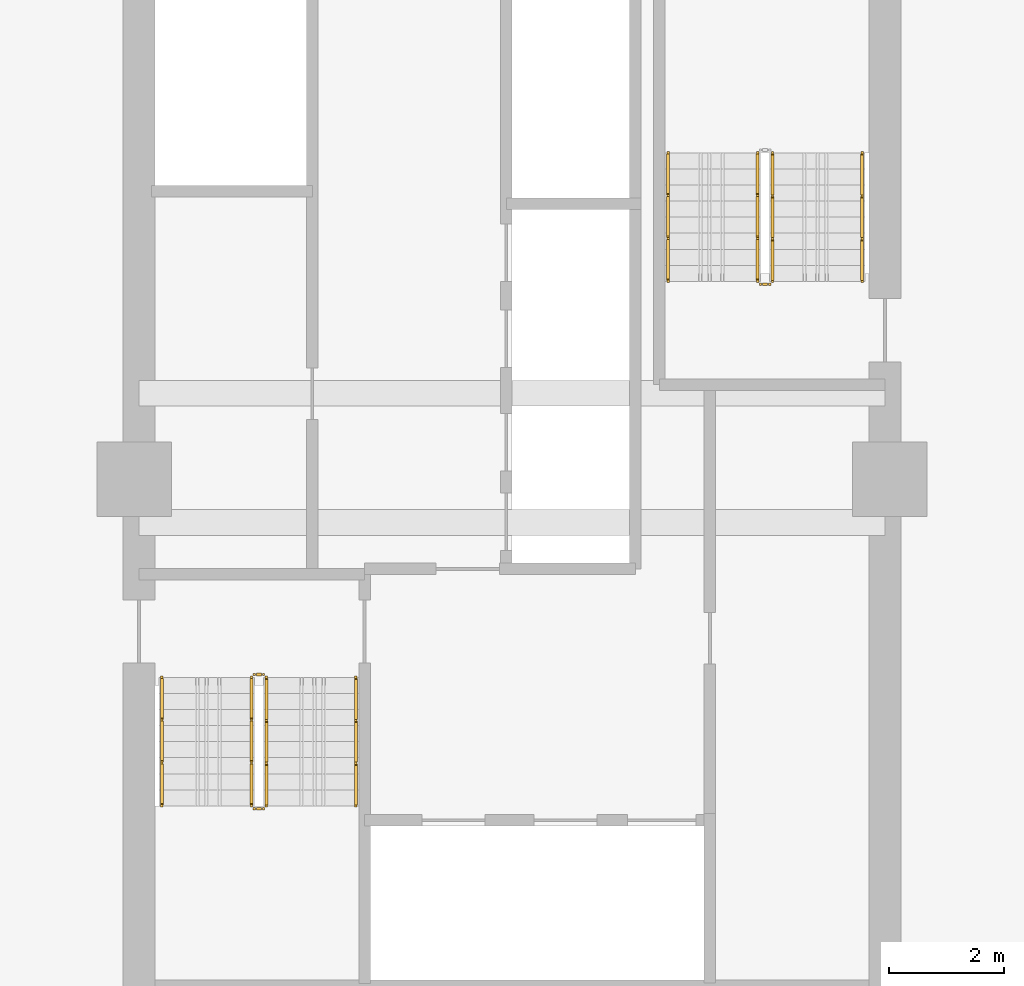
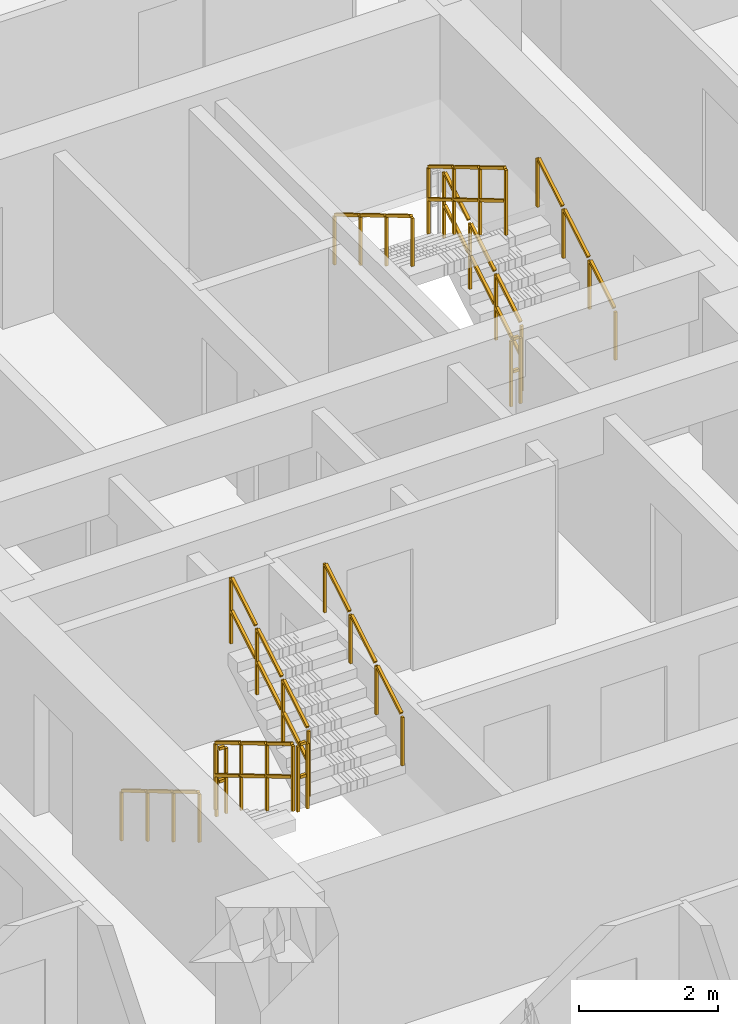
# One storey, part 9 of 11: 11 railings.
"""IFC4 building model written with IfcOpenShell, lengths in metres."""

from ifc_helpers import new_model, si_unit, direction, frame, origin, origin_2d, place, context, subcontext, project, spatial, rectangle, extrude, material, type_object, element, save


model = new_model("IFC4")

# Units and contexts
model_context = context("Model", 3, precision=1e-05, world=origin(), true_north=direction((0.0, 1.0)))
body_context = subcontext(model_context, "Body", "Model", "MODEL_VIEW")
ifc_project = project(units=[si_unit("LENGTHUNIT", "METRE"), si_unit("AREAUNIT", "SQUARE_METRE"), si_unit("VOLUMEUNIT", "CUBIC_METRE"), si_unit("PLANEANGLEUNIT", "RADIAN"), si_unit("MASSUNIT", "GRAM", prefix="KILO")], contexts=[model_context])

# Site, building, storey
site_placement = place(None, origin())
site = spatial("IfcSite", under=ifc_project, at=site_placement, CompositionType="ELEMENT")
building_placement = place(site_placement, origin())
building = spatial("IfcBuilding", under=site, at=building_placement, Name="Saelheon Loggia Tower", CompositionType="ELEMENT")
storey_placement = place(building_placement, frame((0.0, 0.0, 138.75)))
storey = spatial("IfcBuildingStorey", under=building, at=storey_placement, Name="L44", CompositionType="ELEMENT", Elevation=138.75)

# Railings
ifc_material_1 = material(Name="Galvanised Steel S275 Stairwell Guardrail", Category="steel")
railing_type_1 = type_object("IfcRailingType", Name="Guard_StairWell_RL_STG", PredefinedType="GUARDRAIL", material=ifc_material_1)
railing_1_placement = place(storey_placement, frame((33.4599609375, 23.550048828125, 0.166748046875)))
element("IfcRailing", 1, at=railing_1_placement, inside=storey, type_object=railing_type_1, Name="L44 ST1 stair guard 1", PredefinedType="GUARDRAIL", context=body_context, shape_type="SweptSolid", body=[
    extrude(rectangle(XDim=0.048095703125, YDim=0.048095703125, at=origin_2d()), frame((0.0, -0.028564453125, 1.19287109375), z_axis=(0.0, -0.859305625298, 0.511462454469), x_axis=(1.0, 0.0, 0.0)), (0.0, 0.0, 1.0), 0.802490234375),
    extrude(rectangle(XDim=0.048095703125, YDim=0.048095703125, at=origin_2d()), frame((0.0, -0.028564453125, 0.616943359375), z_axis=(0.0, -0.859305625298, 0.511462454469), x_axis=(1.0, 0.0, 0.0)), (0.0, 0.0, 1.0), 0.802490234375),
    extrude(rectangle(XDim=0.048095703125, YDim=0.048095703125, at=origin_2d()), frame((0.0, -0.775146484375, 1.63720703125), z_axis=(0.0, -0.859305625298, 0.511462454469), x_axis=(1.0, 0.0, 0.0)), (0.0, 0.0, 1.0), 0.802490234375),
    extrude(rectangle(XDim=0.048095703125, YDim=0.048095703125, at=origin_2d()), frame((0.0, -0.775146484375, 1.061279296875), z_axis=(0.0, -0.859305625298, 0.511462454469), x_axis=(1.0, 0.0, 0.0)), (0.0, 0.0, 1.0), 0.802490234375),
    extrude(rectangle(XDim=0.048095703125, YDim=0.048095703125, at=origin_2d()), frame((0.0, -1.52197265625, 2.081787109375), z_axis=(0.0, -0.859305625298, 0.511462454469), x_axis=(1.0, 0.0, 0.0)), (0.0, 0.0, 1.0), 0.802490234375),
    extrude(rectangle(XDim=0.048095703125, YDim=0.048095703125, at=origin_2d()), frame((0.0, -1.52197265625, 1.505859375), z_axis=(0.0, -0.859305625298, 0.511462454469), x_axis=(1.0, 0.0, 0.0)), (0.0, 0.0, 1.0), 0.802490234375),
    extrude(rectangle(XDim=0.0419921875, YDim=0.0419921875, at=origin_2d()), origin(), (0.0, 0.0, 1.0), 1.14794921875),
    extrude(rectangle(XDim=0.0419921875, YDim=0.0419921875, at=origin_2d()), frame((0.0, -0.74658203125, 0.4443359375)), (0.0, 0.0, 1.0), 1.14794921875),
    extrude(rectangle(XDim=0.0419921875, YDim=0.0419921875, at=origin_2d()), frame((0.0, -1.493408203125, 0.888916015625)), (0.0, 0.0, 1.0), 1.14794921875),
    extrude(rectangle(XDim=0.0419921875, YDim=0.0419921875, at=origin_2d()), frame((0.0, -2.239990234375, 1.333251953125)), (0.0, 0.0, 1.0), 1.14794921875),
])
railing_2_placement = place(storey_placement, frame((33.510009765625, 21.260009765625, 1.5)))
element("IfcRailing", 2, at=railing_2_placement, inside=storey, type_object=railing_type_1, Name="L44 ST1 stair guard 2", PredefinedType="GUARDRAIL", context=body_context, shape_type="SweptSolid", body=[
    extrude(rectangle(XDim=0.048095703125, YDim=0.048095703125, at=origin_2d()), frame((0.033203125, 0.0, 1.17578125), z_axis=(1.0, 0.0, 0.0), x_axis=(0.0, 1.0, 0.0)), (0.0, 0.0, 1.0), 0.093505859375),
    extrude(rectangle(XDim=0.048095703125, YDim=0.048095703125, at=origin_2d()), frame((0.033203125, 0.0, 0.60009765625), z_axis=(1.0, 0.0, 0.0), x_axis=(0.0, 1.0, 0.0)), (0.0, 0.0, 1.0), 0.093505859375),
    extrude(rectangle(XDim=0.0419921875, YDim=0.0419921875, at=origin_2d()), origin(), (0.0, 0.0, 1.0), 1.14794921875),
    extrude(rectangle(XDim=0.0419921875, YDim=0.0419921875, at=origin_2d()), frame((0.159912109375, 0.0, 0.0)), (0.0, 0.0, 1.0), 1.14794921875),
])
railing_3_placement = place(storey_placement, frame((33.719970703125, 21.31005859375, 1.666748046875)))
element("IfcRailing", 3, at=railing_3_placement, inside=storey, type_object=railing_type_1, Name="L44 ST1 stair guard 3", PredefinedType="GUARDRAIL", context=body_context, shape_type="SweptSolid", body=[
    extrude(rectangle(XDim=0.048095703125, YDim=0.048095703125, at=origin_2d()), frame((0.0, 0.028564453125, 1.19287109375), z_axis=(0.0, 0.859305625298, 0.511462454469), x_axis=(-1.0, 0.0, 0.0)), (0.0, 0.0, 1.0), 0.802490234375),
    extrude(rectangle(XDim=0.048095703125, YDim=0.048095703125, at=origin_2d()), frame((0.0, 0.028564453125, 0.616943359375), z_axis=(0.0, 0.859305625298, 0.511462454469), x_axis=(-1.0, 0.0, 0.0)), (0.0, 0.0, 1.0), 0.802490234375),
    extrude(rectangle(XDim=0.048095703125, YDim=0.048095703125, at=origin_2d()), frame((0.0, 0.775146484375, 1.63720703125), z_axis=(0.0, 0.859305625298, 0.511462454469), x_axis=(-1.0, 0.0, 0.0)), (0.0, 0.0, 1.0), 0.802490234375),
    extrude(rectangle(XDim=0.048095703125, YDim=0.048095703125, at=origin_2d()), frame((0.0, 0.775146484375, 1.061279296875), z_axis=(0.0, 0.859305625298, 0.511462454469), x_axis=(-1.0, 0.0, 0.0)), (0.0, 0.0, 1.0), 0.802490234375),
    extrude(rectangle(XDim=0.048095703125, YDim=0.048095703125, at=origin_2d()), frame((0.0, 1.52197265625, 2.081787109375), z_axis=(0.0, 0.859305625298, 0.511462454469), x_axis=(-1.0, 0.0, 0.0)), (0.0, 0.0, 1.0), 0.802490234375),
    extrude(rectangle(XDim=0.048095703125, YDim=0.048095703125, at=origin_2d()), frame((0.0, 1.52197265625, 1.505859375), z_axis=(0.0, 0.859305625298, 0.511462454469), x_axis=(-1.0, 0.0, 0.0)), (0.0, 0.0, 1.0), 0.802490234375),
    extrude(rectangle(XDim=0.0419921875, YDim=0.0419921875, at=origin_2d()), origin(), (0.0, 0.0, 1.0), 1.14794921875),
    extrude(rectangle(XDim=0.0419921875, YDim=0.0419921875, at=origin_2d()), frame((0.0, 0.74658203125, 0.4443359375)), (0.0, 0.0, 1.0), 1.14794921875),
    extrude(rectangle(XDim=0.0419921875, YDim=0.0419921875, at=origin_2d()), frame((0.0, 1.493408203125, 0.888916015625)), (0.0, 0.0, 1.0), 1.14794921875),
    extrude(rectangle(XDim=0.0419921875, YDim=0.0419921875, at=origin_2d()), frame((0.0, 2.239990234375, 1.333251953125)), (0.0, 0.0, 1.0), 1.14794921875),
])
railing_4_placement = place(storey_placement, frame((33.510009765625, 23.60009765625, 0.0)))
element("IfcRailing", 4, at=railing_4_placement, inside=storey, type_object=railing_type_1, Name="L44 ST1 stair guard 4", PredefinedType="GUARDRAIL", context=body_context, shape_type="SweptSolid", body=[
    extrude(rectangle(XDim=0.048095703125, YDim=0.048095703125, at=origin_2d()), frame((0.033203125, 0.0, 1.17578125), z_axis=(1.0, 0.0, 0.0), x_axis=(0.0, 1.0, 0.0)), (0.0, 0.0, 1.0), 0.093505859375),
    extrude(rectangle(XDim=0.048095703125, YDim=0.048095703125, at=origin_2d()), frame((0.033203125, 0.0, 0.60009765625), z_axis=(1.0, 0.0, 0.0), x_axis=(0.0, 1.0, 0.0)), (0.0, 0.0, 1.0), 0.093505859375),
    extrude(rectangle(XDim=0.0419921875, YDim=0.0419921875, at=origin_2d()), origin(), (0.0, 0.0, 1.0), 1.14794921875),
    extrude(rectangle(XDim=0.0419921875, YDim=0.0419921875, at=origin_2d()), frame((0.159912109375, 0.0, 0.0)), (0.0, 0.0, 1.0), 1.14794921875),
])
railing_5_placement = place(storey_placement, frame((42.5400390625, 30.449951171875, 0.166748046875)))
element("IfcRailing", 5, at=railing_5_placement, inside=storey, type_object=railing_type_1, Name="L44 ST2 stair guard 1", PredefinedType="GUARDRAIL", context=body_context, shape_type="SweptSolid", body=[
    extrude(rectangle(XDim=0.048095703125, YDim=0.048095703125, at=origin_2d()), frame((0.0, 0.028564453125, 1.19287109375), z_axis=(0.0, 0.859305625298, 0.511462454469), x_axis=(-1.0, 0.0, 0.0)), (0.0, 0.0, 1.0), 0.802490234375),
    extrude(rectangle(XDim=0.048095703125, YDim=0.048095703125, at=origin_2d()), frame((0.0, 0.028564453125, 0.616943359375), z_axis=(0.0, 0.859305625298, 0.511462454469), x_axis=(-1.0, 0.0, 0.0)), (0.0, 0.0, 1.0), 0.802490234375),
    extrude(rectangle(XDim=0.048095703125, YDim=0.048095703125, at=origin_2d()), frame((0.0, 0.775146484375, 1.63720703125), z_axis=(0.0, 0.859305625298, 0.511462454469), x_axis=(-1.0, 0.0, 0.0)), (0.0, 0.0, 1.0), 0.802490234375),
    extrude(rectangle(XDim=0.048095703125, YDim=0.048095703125, at=origin_2d()), frame((0.0, 0.775146484375, 1.061279296875), z_axis=(0.0, 0.859305625298, 0.511462454469), x_axis=(-1.0, 0.0, 0.0)), (0.0, 0.0, 1.0), 0.802490234375),
    extrude(rectangle(XDim=0.048095703125, YDim=0.048095703125, at=origin_2d()), frame((0.0, 1.52197265625, 2.081787109375), z_axis=(0.0, 0.859305625298, 0.511462454469), x_axis=(-1.0, 0.0, 0.0)), (0.0, 0.0, 1.0), 0.802490234375),
    extrude(rectangle(XDim=0.048095703125, YDim=0.048095703125, at=origin_2d()), frame((0.0, 1.52197265625, 1.505859375), z_axis=(0.0, 0.859305625298, 0.511462454469), x_axis=(-1.0, 0.0, 0.0)), (0.0, 0.0, 1.0), 0.802490234375),
    extrude(rectangle(XDim=0.0419921875, YDim=0.0419921875, at=origin_2d()), origin(), (0.0, 0.0, 1.0), 1.14794921875),
    extrude(rectangle(XDim=0.0419921875, YDim=0.0419921875, at=origin_2d()), frame((0.0, 0.74658203125, 0.4443359375)), (0.0, 0.0, 1.0), 1.14794921875),
    extrude(rectangle(XDim=0.0419921875, YDim=0.0419921875, at=origin_2d()), frame((0.0, 1.493408203125, 0.888916015625)), (0.0, 0.0, 1.0), 1.14794921875),
    extrude(rectangle(XDim=0.0419921875, YDim=0.0419921875, at=origin_2d()), frame((0.0, 2.239990234375, 1.333251953125)), (0.0, 0.0, 1.0), 1.14794921875),
])
railing_6_placement = place(storey_placement, frame((42.280029296875, 32.68994140625, 1.666748046875)))
element("IfcRailing", 6, at=railing_6_placement, inside=storey, type_object=railing_type_1, Name="L44 ST2 stair guard 3", PredefinedType="GUARDRAIL", context=body_context, shape_type="SweptSolid", body=[
    extrude(rectangle(XDim=0.048095703125, YDim=0.048095703125, at=origin_2d()), frame((0.0, -0.028564453125, 1.19287109375), z_axis=(0.0, -0.859305625298, 0.511462454469), x_axis=(1.0, 0.0, 0.0)), (0.0, 0.0, 1.0), 0.802490234375),
    extrude(rectangle(XDim=0.048095703125, YDim=0.048095703125, at=origin_2d()), frame((0.0, -0.028564453125, 0.616943359375), z_axis=(0.0, -0.859305625298, 0.511462454469), x_axis=(1.0, 0.0, 0.0)), (0.0, 0.0, 1.0), 0.802490234375),
    extrude(rectangle(XDim=0.048095703125, YDim=0.048095703125, at=origin_2d()), frame((0.0, -0.775146484375, 1.63720703125), z_axis=(0.0, -0.859305625298, 0.511462454469), x_axis=(1.0, 0.0, 0.0)), (0.0, 0.0, 1.0), 0.802490234375),
    extrude(rectangle(XDim=0.048095703125, YDim=0.048095703125, at=origin_2d()), frame((0.0, -0.775146484375, 1.061279296875), z_axis=(0.0, -0.859305625298, 0.511462454469), x_axis=(1.0, 0.0, 0.0)), (0.0, 0.0, 1.0), 0.802490234375),
    extrude(rectangle(XDim=0.048095703125, YDim=0.048095703125, at=origin_2d()), frame((0.0, -1.52197265625, 2.081787109375), z_axis=(0.0, -0.859305625298, 0.511462454469), x_axis=(1.0, 0.0, 0.0)), (0.0, 0.0, 1.0), 0.802490234375),
    extrude(rectangle(XDim=0.048095703125, YDim=0.048095703125, at=origin_2d()), frame((0.0, -1.52197265625, 1.505859375), z_axis=(0.0, -0.859305625298, 0.511462454469), x_axis=(1.0, 0.0, 0.0)), (0.0, 0.0, 1.0), 0.802490234375),
    extrude(rectangle(XDim=0.0419921875, YDim=0.0419921875, at=origin_2d()), origin(), (0.0, 0.0, 1.0), 1.14794921875),
    extrude(rectangle(XDim=0.0419921875, YDim=0.0419921875, at=origin_2d()), frame((0.0, -0.74658203125, 0.4443359375)), (0.0, 0.0, 1.0), 1.14794921875),
    extrude(rectangle(XDim=0.0419921875, YDim=0.0419921875, at=origin_2d()), frame((0.0, -1.493408203125, 0.888916015625)), (0.0, 0.0, 1.0), 1.14794921875),
    extrude(rectangle(XDim=0.0419921875, YDim=0.0419921875, at=origin_2d()), frame((0.0, -2.239990234375, 1.333251953125)), (0.0, 0.0, 1.0), 1.14794921875),
])
railing_7_placement = place(storey_placement, frame((42.489990234375, 30.39990234375, 0.0)))
element("IfcRailing", 7, at=railing_7_placement, inside=storey, type_object=railing_type_1, Name="L44 ST2 stair guard 4", PredefinedType="GUARDRAIL", context=body_context, shape_type="SweptSolid", body=[
    extrude(rectangle(XDim=0.048095703125, YDim=0.048095703125, at=origin_2d()), frame((-0.033203125, 0.0, 1.17578125), z_axis=(-1.0, 0.0, 0.0), x_axis=(0.0, -1.0, 0.0)), (0.0, 0.0, 1.0), 0.093505859375),
    extrude(rectangle(XDim=0.048095703125, YDim=0.048095703125, at=origin_2d()), frame((-0.033203125, 0.0, 0.60009765625), z_axis=(-1.0, 0.0, 0.0), x_axis=(0.0, -1.0, 0.0)), (0.0, 0.0, 1.0), 0.093505859375),
    extrude(rectangle(XDim=0.0419921875, YDim=0.0419921875, at=origin_2d()), origin(), (0.0, 0.0, 1.0), 1.14794921875),
    extrude(rectangle(XDim=0.0419921875, YDim=0.0419921875, at=origin_2d()), frame((-0.159912109375, 0.0, 0.0)), (0.0, 0.0, 1.0), 1.14794921875),
])
ifc_material_2 = material(Name="Stainless Steel 304 Tubular Handrail", Category="steel")
railing_type_2 = type_object("IfcRailingType", Name="Handrail_Stair_RL_HR1", PredefinedType="HANDRAIL", material=ifc_material_2)
railing_8_placement = place(storey_placement, frame((31.89990234375, 23.550048828125, 0.166748046875)))
element("IfcRailing", 8, at=railing_8_placement, inside=storey, type_object=railing_type_2, Name="L44 ST1 stair handrail 1", PredefinedType="HANDRAIL", context=body_context, shape_type="SweptSolid", body=[
    extrude(rectangle(XDim=0.048095703125, YDim=0.048095703125, at=origin_2d()), frame((0.0, -0.028564453125, 0.892822265625), z_axis=(0.0, -0.859305625298, 0.511462454469), x_axis=(1.0, 0.0, 0.0)), (0.0, 0.0, 1.0), 0.802490234375),
    extrude(rectangle(XDim=0.048095703125, YDim=0.048095703125, at=origin_2d()), frame((0.0, -0.775146484375, 1.337158203125), z_axis=(0.0, -0.859305625298, 0.511462454469), x_axis=(1.0, 0.0, 0.0)), (0.0, 0.0, 1.0), 0.802490234375),
    extrude(rectangle(XDim=0.048095703125, YDim=0.048095703125, at=origin_2d()), frame((0.0, -1.52197265625, 1.78173828125), z_axis=(0.0, -0.859305625298, 0.511462454469), x_axis=(1.0, 0.0, 0.0)), (0.0, 0.0, 1.0), 0.802490234375),
    extrude(rectangle(XDim=0.0419921875, YDim=0.0419921875, at=origin_2d()), origin(), (0.0, 0.0, 1.0), 0.847900390625),
    extrude(rectangle(XDim=0.0419921875, YDim=0.0419921875, at=origin_2d()), frame((0.0, -0.74658203125, 0.4443359375)), (0.0, 0.0, 1.0), 0.847900390625),
    extrude(rectangle(XDim=0.0419921875, YDim=0.0419921875, at=origin_2d()), frame((0.0, -1.493408203125, 0.888916015625)), (0.0, 0.0, 1.0), 0.847900390625),
    extrude(rectangle(XDim=0.0419921875, YDim=0.0419921875, at=origin_2d()), frame((0.0, -2.239990234375, 1.333251953125)), (0.0, 0.0, 1.0), 0.847900390625),
])
for number, where, name in (
    (9, (35.280029296875, 21.31005859375, 1.666748046875), "L44 ST1 stair handrail 2"),
    (10, (44.10009765625, 30.449951171875, 0.166748046875), "L44 ST2 stair handrail 1"),
):
    element("IfcRailing", number, at=place(storey_placement, frame(where)), inside=storey, type_object=railing_type_2, Name=name, PredefinedType="HANDRAIL", context=body_context, shape_type="SweptSolid", body=[
        extrude(rectangle(XDim=0.048095703125, YDim=0.048095703125, at=origin_2d()), frame((0.0, 0.028564453125, 0.892822265625), z_axis=(0.0, 0.859305625298, 0.511462454469), x_axis=(-1.0, 0.0, 0.0)), (0.0, 0.0, 1.0), 0.802490234375),
        extrude(rectangle(XDim=0.048095703125, YDim=0.048095703125, at=origin_2d()), frame((0.0, 0.775146484375, 1.337158203125), z_axis=(0.0, 0.859305625298, 0.511462454469), x_axis=(-1.0, 0.0, 0.0)), (0.0, 0.0, 1.0), 0.802490234375),
        extrude(rectangle(XDim=0.048095703125, YDim=0.048095703125, at=origin_2d()), frame((0.0, 1.52197265625, 1.78173828125), z_axis=(0.0, 0.859305625298, 0.511462454469), x_axis=(-1.0, 0.0, 0.0)), (0.0, 0.0, 1.0), 0.802490234375),
        extrude(rectangle(XDim=0.0419921875, YDim=0.0419921875, at=origin_2d()), origin(), (0.0, 0.0, 1.0), 0.847900390625),
        extrude(rectangle(XDim=0.0419921875, YDim=0.0419921875, at=origin_2d()), frame((0.0, 0.74658203125, 0.4443359375)), (0.0, 0.0, 1.0), 0.847900390625),
        extrude(rectangle(XDim=0.0419921875, YDim=0.0419921875, at=origin_2d()), frame((0.0, 1.493408203125, 0.888916015625)), (0.0, 0.0, 1.0), 0.847900390625),
        extrude(rectangle(XDim=0.0419921875, YDim=0.0419921875, at=origin_2d()), frame((0.0, 2.239990234375, 1.333251953125)), (0.0, 0.0, 1.0), 0.847900390625),
    ])
railing_9_placement = place(storey_placement, frame((40.719970703125, 32.68994140625, 1.666748046875)))
element("IfcRailing", 11, at=railing_9_placement, inside=storey, type_object=railing_type_2, Name="L44 ST2 stair handrail 2", PredefinedType="HANDRAIL", context=body_context, shape_type="SweptSolid", body=[
    extrude(rectangle(XDim=0.048095703125, YDim=0.048095703125, at=origin_2d()), frame((0.0, -0.028564453125, 0.892822265625), z_axis=(0.0, -0.859305625298, 0.511462454469), x_axis=(1.0, 0.0, 0.0)), (0.0, 0.0, 1.0), 0.802490234375),
    extrude(rectangle(XDim=0.048095703125, YDim=0.048095703125, at=origin_2d()), frame((0.0, -0.775146484375, 1.337158203125), z_axis=(0.0, -0.859305625298, 0.511462454469), x_axis=(1.0, 0.0, 0.0)), (0.0, 0.0, 1.0), 0.802490234375),
    extrude(rectangle(XDim=0.048095703125, YDim=0.048095703125, at=origin_2d()), frame((0.0, -1.52197265625, 1.78173828125), z_axis=(0.0, -0.859305625298, 0.511462454469), x_axis=(1.0, 0.0, 0.0)), (0.0, 0.0, 1.0), 0.802490234375),
    extrude(rectangle(XDim=0.0419921875, YDim=0.0419921875, at=origin_2d()), origin(), (0.0, 0.0, 1.0), 0.847900390625),
    extrude(rectangle(XDim=0.0419921875, YDim=0.0419921875, at=origin_2d()), frame((0.0, -0.74658203125, 0.4443359375)), (0.0, 0.0, 1.0), 0.847900390625),
    extrude(rectangle(XDim=0.0419921875, YDim=0.0419921875, at=origin_2d()), frame((0.0, -1.493408203125, 0.888916015625)), (0.0, 0.0, 1.0), 0.847900390625),
    extrude(rectangle(XDim=0.0419921875, YDim=0.0419921875, at=origin_2d()), frame((0.0, -2.239990234375, 1.333251953125)), (0.0, 0.0, 1.0), 0.847900390625),
])

save(model, "model.ifc")
